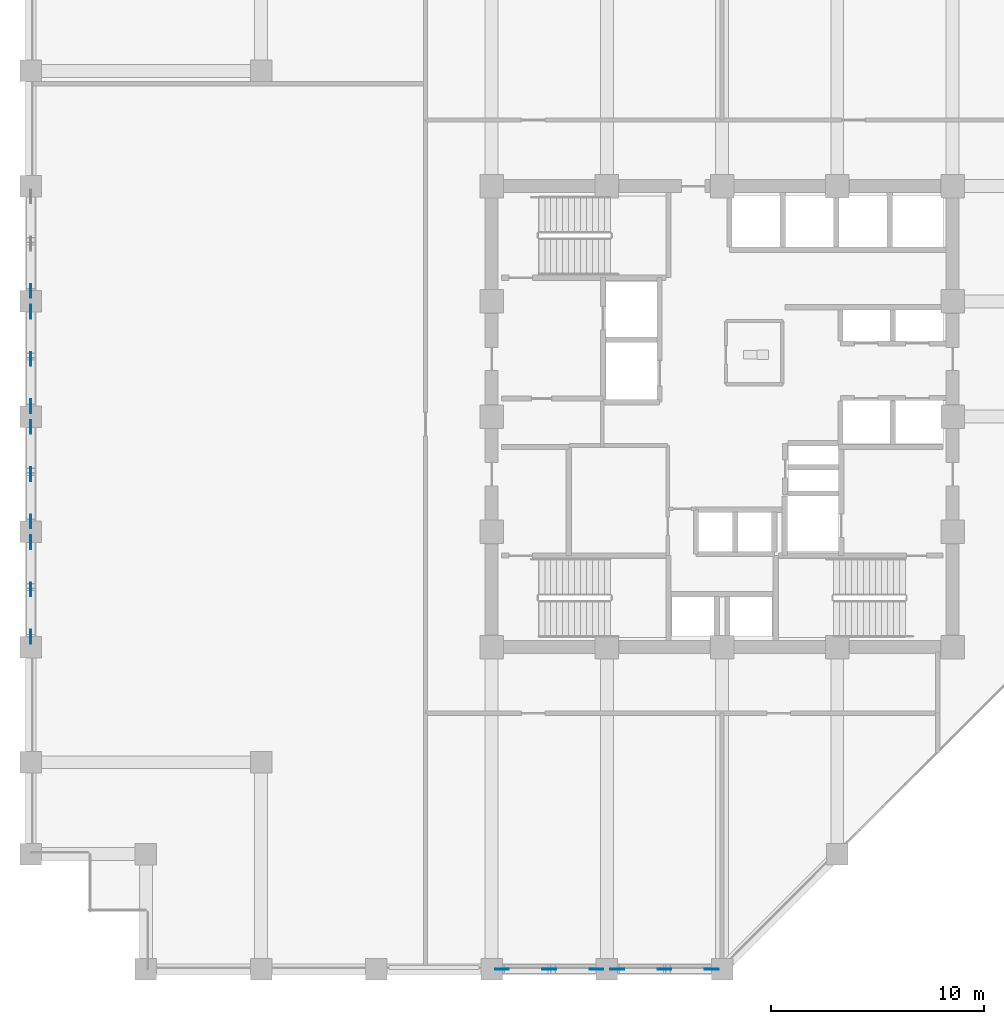
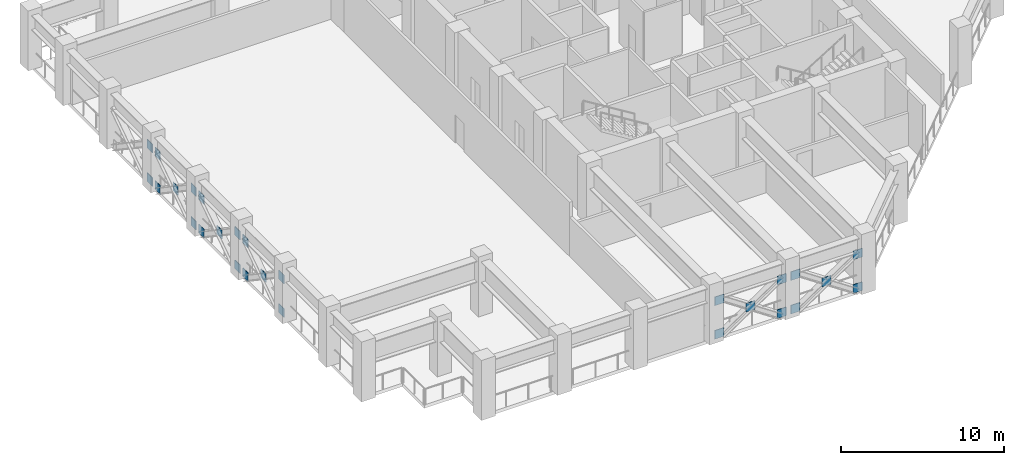
# One storey, part 3 of 12: 27 plates.
"""IFC4 building model written with IfcOpenShell, lengths in metres."""

from ifc_helpers import new_model, si_unit, direction, frame, origin, origin_2d, place, context, subcontext, project, spatial, rectangle, extrude, material, layer, layer_set, type_object, element, save


model = new_model("IFC4")

# Units and contexts
model_context = context("Model", 3, precision=1e-05, world=origin(), true_north=direction((0.0, 1.0)))
body_context = subcontext(model_context, "Body", "Model", "MODEL_VIEW")
ifc_project = project(units=[si_unit("LENGTHUNIT", "METRE"), si_unit("AREAUNIT", "SQUARE_METRE"), si_unit("VOLUMEUNIT", "CUBIC_METRE"), si_unit("PLANEANGLEUNIT", "RADIAN"), si_unit("MASSUNIT", "GRAM", prefix="KILO")], contexts=[model_context])

# Site, building, storey
site_placement = place(None, origin())
site = spatial("IfcSite", under=ifc_project, at=site_placement, CompositionType="ELEMENT")
building_placement = place(site_placement, origin())
building = spatial("IfcBuilding", under=site, at=building_placement, Name="Surkhivell Harbour Commons", CompositionType="ELEMENT")
storey_placement = place(building_placement, frame((0.0, 0.0, 166.5)))
storey = spatial("IfcBuildingStorey", under=building, at=storey_placement, Name="L43", CompositionType="ELEMENT", Elevation=166.5)

# Plates
ifc_material = material(Name="Steel S460", Category="steel")
ifc_layer = layer(ifc_material, 0.044921875)
ifc_layer_set = layer_set([ifc_layer], Name="Steel S460")
plate_type = type_object("IfcPlateType", Name="PLT-GUS-650", PredefinedType="USERDEFINED", material=ifc_layer_set)
for number, where, z_axis, x_axis, name in (
    (1, (-32.39990234375, -4.9150390625, -0.08935546875), (0.0, 0.0, 1.0), (0.0, 1.0, 0.0), "L43 Belt-Truss Diagonal BT- Corner Gusset BW1-1"),
    (2, (-32.39990234375, -0.485107421875, -0.08935546875), (0.0, 0.0, 1.0), (0.0, 1.0, 0.0), "L43 Belt-Truss Diagonal BT- Corner Gusset BW1-2"),
    (3, (-32.39990234375, -4.9150390625, 2.431640625), (0.0, 0.0, 1.0), (0.0, 1.0, 0.0), "L43 Belt-Truss Diagonal BT- Corner Gusset BW1-3"),
    (4, (-32.39990234375, -0.485107421875, 2.431640625), (0.0, 0.0, 1.0), (0.0, 1.0, 0.0), "L43 Belt-Truss Diagonal BT- Corner Gusset BW1-4"),
    (5, (-32.39990234375, -2.699951171875, 1.171142578125), (0.0, 0.0, 1.0), (0.0, 1.0, 0.0), "L43 Belt-Truss Diagonal BT- Central Crossing Gusset BW1"),
    (6, (-32.39990234375, 0.485107421875, -0.08935546875), (0.0, 0.0, 1.0), (0.0, 1.0, 0.0), "L43 Belt-Truss Diagonal BT- Corner Gusset BW2-1"),
    (7, (-32.39990234375, 4.9150390625, -0.08935546875), (0.0, 0.0, 1.0), (0.0, 1.0, 0.0), "L43 Belt-Truss Diagonal BT- Corner Gusset BW2-2"),
    (8, (-32.39990234375, 0.485107421875, 2.431640625), (0.0, 0.0, 1.0), (0.0, 1.0, 0.0), "L43 Belt-Truss Diagonal BT- Corner Gusset BW2-3"),
    (9, (-32.39990234375, 4.9150390625, 2.431640625), (0.0, 0.0, 1.0), (0.0, 1.0, 0.0), "L43 Belt-Truss Diagonal BT- Corner Gusset BW2-4"),
    (10, (-32.39990234375, 2.699951171875, 1.171142578125), (0.0, 0.0, 1.0), (0.0, 1.0, 0.0), "L43 Belt-Truss Diagonal BT- Central Crossing Gusset BW2"),
    (11, (-10.31494140625, -25.89990234375, -0.08935546875), (0.0, 0.0, 1.0), (1.0, 0.0, 0.0), "L43 Belt-Truss Diagonal BT- Corner Gusset BS1-1"),
    (12, (-5.885009765625, -25.89990234375, -0.08935546875), (0.0, 0.0, 1.0), (1.0, 0.0, 0.0), "L43 Belt-Truss Diagonal BT- Corner Gusset BS1-2"),
    (13, (-10.31494140625, -25.89990234375, 2.431640625), (0.0, 0.0, 1.0), (1.0, 0.0, 0.0), "L43 Belt-Truss Diagonal BT- Corner Gusset BS1-3"),
    (14, (-5.885009765625, -25.89990234375, 2.431640625), (0.0, 0.0, 1.0), (1.0, 0.0, 0.0), "L43 Belt-Truss Diagonal BT- Corner Gusset BS1-4"),
    (15, (-8.10009765625, -25.89990234375, 1.171142578125), (0.0, 0.0, 1.0), (1.0, 0.0, 0.0), "L43 Belt-Truss Diagonal BT- Central Crossing Gusset BS1"),
    (16, (-4.9150390625, -25.89990234375, -0.08935546875), (0.0, 0.0, 1.0), (1.0, 0.0, 0.0), "L43 Belt-Truss Diagonal BT- Corner Gusset BS2-1"),
    (17, (-0.485107421875, -25.89990234375, -0.08935546875), (0.0, 0.0, 1.0), (1.0, 0.0, 0.0), "L43 Belt-Truss Diagonal BT- Corner Gusset BS2-2"),
    (18, (-4.9150390625, -25.89990234375, 2.431640625), (0.0, 0.0, 1.0), (1.0, 0.0, 0.0), "L43 Belt-Truss Diagonal BT- Corner Gusset BS2-3"),
    (19, (-0.485107421875, -25.89990234375, 2.431640625), (0.0, 0.0, 1.0), (1.0, 0.0, 0.0), "L43 Belt-Truss Diagonal BT- Corner Gusset BS2-4"),
    (20, (-2.699951171875, -25.89990234375, 1.171142578125), (0.0, 0.0, 1.0), (1.0, 0.0, 0.0), "L43 Belt-Truss Diagonal BT- Central Crossing Gusset BS2"),
    (21, (-32.39990234375, -10.31494140625, -0.08935546875), (0.0, 0.0, 1.0), (0.0, 1.0, 0.0), "L43 Belt-Truss Diagonal BT- Corner Gusset BW3-1"),
    (22, (-32.39990234375, -5.885009765625, -0.08935546875), (0.0, 0.0, 1.0), (0.0, 1.0, 0.0), "L43 Belt-Truss Diagonal BT- Corner Gusset BW3-2"),
    (23, (-32.39990234375, -10.31494140625, 2.431640625), (0.0, 0.0, 1.0), (0.0, 1.0, 0.0), "L43 Belt-Truss Diagonal BT- Corner Gusset BW3-3"),
    (24, (-32.39990234375, -5.885009765625, 2.431640625), (0.0, 0.0, 1.0), (0.0, 1.0, 0.0), "L43 Belt-Truss Diagonal BT- Corner Gusset BW3-4"),
    (25, (-32.39990234375, -8.10009765625, 1.171142578125), (0.0, 0.0, 1.0), (0.0, 1.0, 0.0), "L43 Belt-Truss Diagonal BT- Central Crossing Gusset BW3"),
    (26, (-32.39990234375, 5.885009765625, -0.08935546875), (0.0, 0.0, 1.0), (0.0, 1.0, 0.0), "L43 Belt-Truss Diagonal BT- Corner Gusset BW4-1"),
    (27, (-32.39990234375, 5.885009765625, 2.431640625), (0.0, 0.0, 1.0), (0.0, 1.0, 0.0), "L43 Belt-Truss Diagonal BT- Corner Gusset BW4-3"),
):
    element("IfcPlate", number, at=place(storey_placement, frame(where, z_axis=z_axis, x_axis=x_axis)), inside=storey, type_object=plate_type, Name=name, ObjectType="GUSSET_PLATE", PredefinedType="USERDEFINED", context=body_context, shape_type="SweptSolid", body=[
        extrude(rectangle(XDim=0.64990234375, YDim=0.044921875, at=origin_2d()), origin(), (0.0, 0.0, 1.0), 0.64990234375),
    ])

save(model, "model.ifc")
